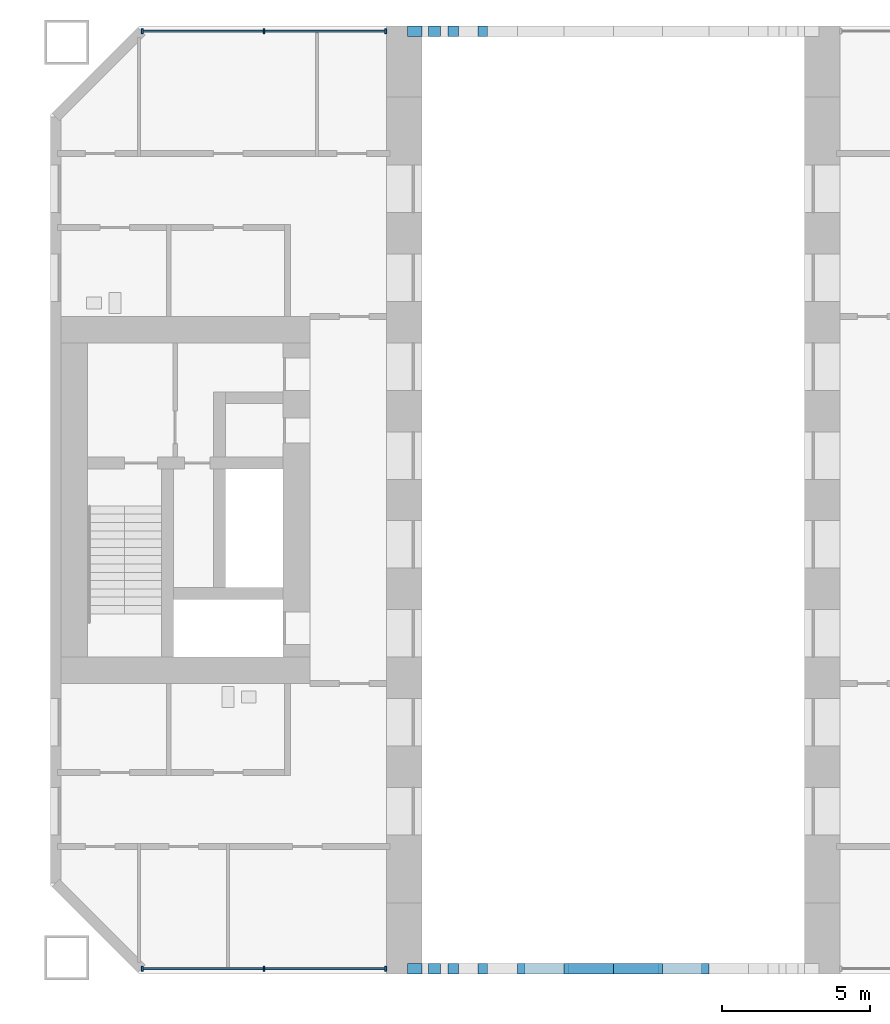
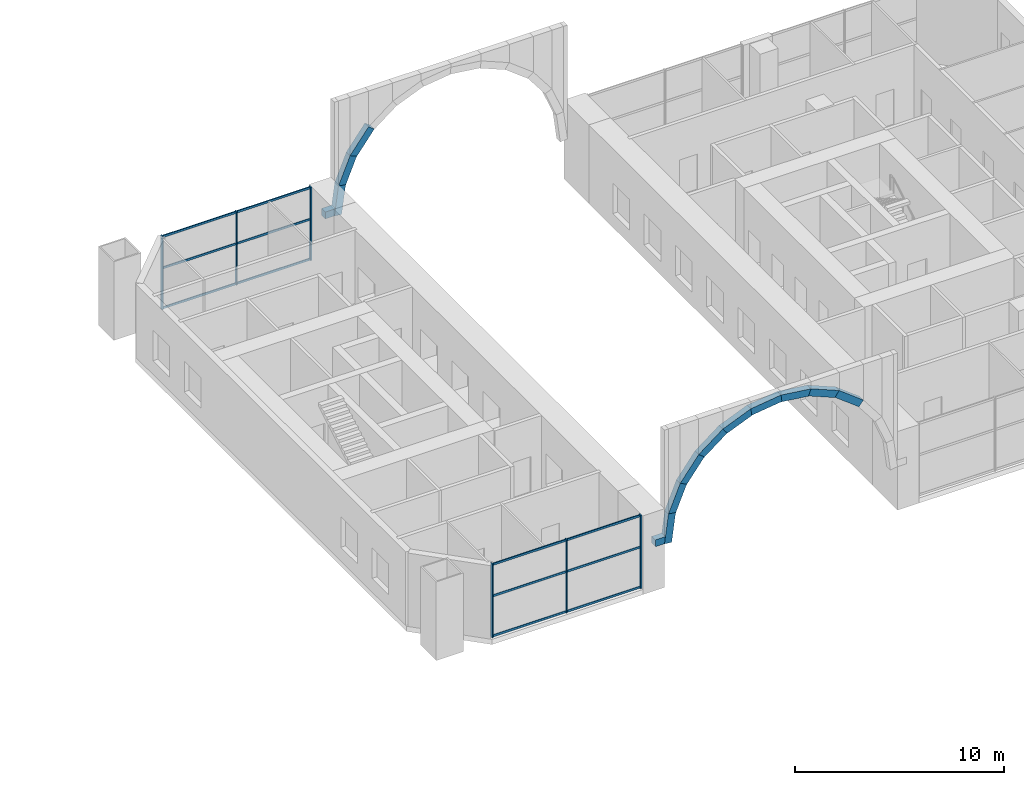
# One storey, part 5 of 21: 18 members, 14 beams, 2 elements without a shape of their own.
"""IFC4 building model written with IfcOpenShell, lengths in metres."""

import ifcopenshell
import ifcopenshell.guid

model = None  # the IFC model being written
_history = None  # IfcOwnerHistory: only IFC2X3 demands one
_inside = {}  # id of a spatial element -> (the spatial element, [elements in it])
_under = {}  # id of a project, library or spatial element -> (it, [spatial elements below it])
_declared = {}  # id of a project -> (the project, [libraries it declares])
_typed = {}  # id of a type object -> (the type object, [elements of that type])
_made_of = {}  # id of a material, layer set ... -> (it, [elements and type objects made of it])


def new_model(schema):
    """Start an empty IFC model of exactly this schema.

    Asked for "IFC4X3", IfcOpenShell would pick the latest addendum, in which some entities
    have other attributes; the version numbers below select the first issue.
    IFC2X3 requires an IfcOwnerHistory on every rooted entity: one is made here for all.
    """
    global model, _history
    if schema == "IFC4X3":
        model = ifcopenshell.file(schema_version=(4, 3, 0, 0))
    else:
        model = ifcopenshell.file(schema=schema)
    _inside.clear()
    _under.clear()
    _declared.clear()
    _typed.clear()
    _made_of.clear()
    _history = None
    if model.schema == "IFC2X3":
        org = make("IfcOrganization", Name="unknown")
        user = make(
            "IfcPersonAndOrganization",
            ThePerson=make("IfcPerson", FamilyName="unknown"),
            TheOrganization=org,
        )
        app = make(
            "IfcApplication",
            ApplicationDeveloper=org,
            Version="unknown",
            ApplicationFullName="unknown",
            ApplicationIdentifier="unknown",
        )
        _history = make(
            "IfcOwnerHistory",
            OwningUser=user,
            OwningApplication=app,
            ChangeAction="ADDED",
            CreationDate=0,
        )
    return model


def make(cls, **values):
    """One entity of the class cls with the attributes given. An attribute that is None is left unset."""
    return model.create_entity(
        cls, **{name: value for name, value in values.items() if value is not None}
    )


def rooted(cls, **values):
    """An entity with a GlobalId (a new one), such as an element, a storey or a relation."""
    return make(cls, GlobalId=ifcopenshell.guid.new(), OwnerHistory=_history, **values)


def si_unit(unit_type, name, prefix=None):
    """IfcSIUnit, for example si_unit("LENGTHUNIT", "METRE", prefix="MILLI")."""
    return make("IfcSIUnit", UnitType=unit_type, Prefix=prefix, Name=name)


def assignment(units):
    """IfcUnitAssignment: the units of a project."""
    return None if units is None else make("IfcUnitAssignment", Units=units)


def point(xyz):
    """IfcCartesianPoint."""
    return None if xyz is None else make("IfcCartesianPoint", Coordinates=xyz)


def direction(xyz):
    """IfcDirection."""
    return None if xyz is None else make("IfcDirection", DirectionRatios=xyz)


def frame(location, z_axis=None, x_axis=None):
    """IfcAxis2Placement3D, a coordinate frame: its origin and axes. An axis left out is left unset."""
    return make(
        "IfcAxis2Placement3D",
        Location=point(location),
        Axis=direction(z_axis),
        RefDirection=direction(x_axis),
    )


def frame_2d(location, x_axis=None):
    """IfcAxis2Placement2D, a coordinate frame in the plane: its origin and x axis."""
    return make(
        "IfcAxis2Placement2D", Location=point(location), RefDirection=direction(x_axis)
    )


def origin():
    """The frame at (0, 0, 0) with its axes left unset."""
    return frame((0.0, 0.0, 0.0))


def origin_2d():
    """The frame at (0, 0) in the plane with its x axis left unset."""
    return frame_2d((0.0, 0.0))


def place(relative_to, where):
    """IfcLocalPlacement: puts the frame where relative to a parent placement (None: the world)."""
    return make(
        "IfcLocalPlacement", PlacementRelTo=relative_to, RelativePlacement=where
    )


def context(
    kind, dimensions, precision=None, world=None, true_north=None, identifier=None
):
    """IfcGeometricRepresentationContext, for example the 3D "Model" context."""
    return make(
        "IfcGeometricRepresentationContext",
        ContextIdentifier=identifier,
        ContextType=kind,
        CoordinateSpaceDimension=dimensions,
        Precision=precision,
        WorldCoordinateSystem=world,
        TrueNorth=true_north,
    )


def subcontext(parent, identifier, kind, view, scale=None):
    """IfcGeometricRepresentationSubContext, for example "Body" below "Model"."""
    return make(
        "IfcGeometricRepresentationSubContext",
        ContextIdentifier=identifier,
        ContextType=kind,
        ParentContext=parent,
        TargetScale=scale,
        TargetView=view,
    )


def project(units=None, contexts=None):
    """IfcProject with its units and contexts."""
    return rooted(
        "IfcProject",
        Name="project",
        RepresentationContexts=contexts,
        UnitsInContext=assignment(units),
    )


def spatial(cls, under=None, at=None, **own):
    """A site, building, storey or space (cls), placed at a placement, below another one or the project."""
    s = rooted(cls, ObjectPlacement=at, **own)
    if under is not None:
        _under.setdefault(under.id(), (under, []))[1].append(s)
    return s


def profile(cls, at=None, kind="AREA", **sizes):
    """A parametric profile (cls). Its sizes go by their IFC names, for example OverallWidth=200.0."""
    return make(cls, ProfileType=kind, Position=at, **sizes)


def rectangle(**sizes):
    """IfcRectangleProfileDef."""
    return profile("IfcRectangleProfileDef", **sizes)


def extrude(swept, where, along, depth):
    """IfcExtrudedAreaSolid: the profile swept, set in the frame where, extruded along a direction by depth."""
    return make(
        "IfcExtrudedAreaSolid",
        SweptArea=swept,
        Position=where,
        ExtrudedDirection=direction(along),
        Depth=depth,
    )


def shape(context_of_items, identifier, shape_type, items):
    """IfcShapeRepresentation: the items that make up one representation, for example the "Body"."""
    return make(
        "IfcShapeRepresentation",
        ContextOfItems=context_of_items,
        RepresentationIdentifier=identifier,
        RepresentationType=shape_type,
        Items=items,
    )


def material(Name=None, Category=None):
    """IfcMaterial."""
    return make("IfcMaterial", Name=Name, Category=Category)


def material_profile(
    of_material, cross_section, Name=None, Category=None, Priority=None
):
    """IfcMaterialProfile: a cross section and its material."""
    return make(
        "IfcMaterialProfile",
        Name=Name,
        Material=of_material,
        Profile=cross_section,
        Priority=Priority,
        Category=Category,
    )


def profile_set(profiles, Name=None, composite=None):
    """IfcMaterialProfileSet."""
    return make(
        "IfcMaterialProfileSet",
        Name=Name,
        MaterialProfiles=profiles,
        CompositeProfile=composite,
    )


def made_of(thing, what):
    """Note that an element or type object is made of a material, layer set ...; save() writes the relation."""
    if what is not None:
        _made_of.setdefault(what.id(), (what, []))[1].append(thing)
    return thing


def type_object(cls, material=None, **own):
    """A type object (cls), such as IfcWallType, which elements share."""
    return made_of(rooted(cls, **own), material)


def element(
    cls,
    number,
    at=None,
    inside=None,
    cuts=None,
    type_object=None,
    material=None,
    context=None,
    identifier="Body",
    shape_type=None,
    held_by="IfcProductDefinitionShape",
    body=None,
    shapes=None,
    **own,
):
    """One element of the class cls, such as IfcWall. Its Tag is "e" and its number.

    at: its placement. inside: the storey or other place that contains it. cuts: it is an
    opening in that element (IfcRelVoidsElement). A single representation is given by context,
    identifier, shape_type and body (its items); several are given by shapes. held_by: the class
    of the entity that holds the representations. save() writes the other relations.
    """
    e = rooted(cls, Tag="e%d" % number, ObjectPlacement=at, **own)
    if body is not None:
        shapes = [shape(context, identifier, shape_type, body)]
    if shapes is not None:
        e.Representation = make(held_by, Representations=shapes)
    if inside is not None:
        _inside.setdefault(inside.id(), (inside, []))[1].append(e)
    if cuts is not None:
        rooted(
            "IfcRelVoidsElement", RelatingBuildingElement=cuts, RelatedOpeningElement=e
        )
    if type_object is not None:
        _typed.setdefault(type_object.id(), (type_object, []))[1].append(e)
    return made_of(e, material)


def aggregate(whole, parts):
    """IfcRelAggregates: a whole, such as a stair, and the parts it consists of."""
    return rooted("IfcRelAggregates", RelatingObject=whole, RelatedObjects=parts)


def save(model, path):
    """Write the relations noted so far, then the file.

    IfcRelAggregates (storeys below a building ...), IfcRelContainedInSpatialStructure (elements
    in a storey), IfcRelDefinesByType, IfcRelAssociatesMaterial and IfcRelDeclares: one each for
    every whole, place, type object, material and project.
    """
    for whole, parts in _under.values():
        aggregate(whole, parts)
    for where, things in _inside.values():
        rooted(
            "IfcRelContainedInSpatialStructure",
            RelatedElements=things,
            RelatingStructure=where,
        )
    for kind, things in _typed.values():
        rooted("IfcRelDefinesByType", RelatedObjects=things, RelatingType=kind)
    for what, things in _made_of.values():
        rooted("IfcRelAssociatesMaterial", RelatedObjects=things, RelatingMaterial=what)
    for by, libraries in _declared.values():
        rooted("IfcRelDeclares", RelatingContext=by, RelatedDefinitions=libraries)
    model.write(path)


model = new_model("IFC4")

# Units and contexts
model_context = context("Model", 3, precision=1e-05, world=origin(), true_north=direction((0.0, 1.0)))
body_context = subcontext(model_context, "Body", "Model", "MODEL_VIEW")
ifc_project = project(units=[si_unit("LENGTHUNIT", "METRE"), si_unit("AREAUNIT", "SQUARE_METRE"), si_unit("VOLUMEUNIT", "CUBIC_METRE"), si_unit("PLANEANGLEUNIT", "RADIAN"), si_unit("MASSUNIT", "GRAM", prefix="KILO")], contexts=[model_context])

# Site, building, storey
site_placement = place(None, origin())
site = spatial("IfcSite", under=ifc_project, at=site_placement, CompositionType="ELEMENT")
building_placement = place(site_placement, origin())
building = spatial("IfcBuilding", under=site, at=building_placement, Name="Tuart Gate Housing", CompositionType="ELEMENT")
storey_placement = place(building_placement, frame((0.0, 0.0, 5.5)))
storey = spatial("IfcBuildingStorey", under=building, at=storey_placement, Name="L01", CompositionType="ELEMENT", Elevation=5.5)

# Curtain wall, members
ifc_material_1 = material(Name="Aluminium and clear glass", Category="aluminium")
curtain_wall_type = type_object("IfcCurtainWallType", Name="Podium health glazing", PredefinedType="USERDEFINED", material=ifc_material_1)
curtain_wall_1_placement = place(storey_placement, origin())
curtain_wall_1 = element("IfcCurtainWall", 1, at=curtain_wall_1_placement, inside=storey, type_object=curtain_wall_type, Name="Podium health glazing B-S L01", ObjectType="PODIUM HEALTH GLAZING", PredefinedType="USERDEFINED")
ifc_material_2 = material(Name="Anodised aluminium", Category="aluminium")
ifc_material_profile_1 = material_profile(ifc_material_2, rectangle(XDim=0.06005859375, YDim=0.159912109375, at=origin_2d()), Name="60x160")
ifc_profile_set_1 = profile_set([ifc_material_profile_1], Name="Anodised aluminium")
member_type_1 = type_object("IfcMemberType", Name="Mullion 60 x 160", PredefinedType="MULLION", material=ifc_profile_set_1)
member_1_placement = place(storey_placement, frame((134.1044921875, 54.179931640625, 0.0), z_axis=(0.0, 0.0, 1.0), x_axis=(1.0, 0.0, 0.0)))
member_1 = element("IfcMember", 2, at=member_1_placement, type_object=member_type_1, Name="CW1 mullion 1", PredefinedType="MULLION", context=body_context, shape_type="SweptSolid", body=[
    extrude(rectangle(XDim=0.06005859375, YDim=0.159912109375, at=origin_2d()), origin(), (0.0, 0.0, 1.0), 4.300048828125),
])
member_2_placement = place(storey_placement, frame((138.21240234375, 54.179931640625, 0.0), z_axis=(0.0, 0.0, 1.0), x_axis=(1.0, 0.0, 0.0)))
member_2 = element("IfcMember", 3, at=member_2_placement, type_object=member_type_1, Name="CW1 mullion 2", PredefinedType="MULLION", context=body_context, shape_type="SweptSolid", body=[
    extrude(rectangle(XDim=0.06005859375, YDim=0.159912109375, at=origin_2d()), origin(), (0.0, 0.0, 1.0), 4.300048828125),
])
member_3_placement = place(storey_placement, frame((142.320068359375, 54.179931640625, 0.0), z_axis=(0.0, 0.0, 1.0), x_axis=(1.0, 0.0, 0.0)))
member_3 = element("IfcMember", 4, at=member_3_placement, type_object=member_type_1, Name="CW1 mullion 3", PredefinedType="MULLION", context=body_context, shape_type="SweptSolid", body=[
    extrude(rectangle(XDim=0.06005859375, YDim=0.159912109375, at=origin_2d()), origin(), (0.0, 0.0, 1.0), 4.300048828125),
])

curtain_wall_2_placement = place(storey_placement, origin())
curtain_wall_2 = element("IfcCurtainWall", 5, at=curtain_wall_2_placement, inside=storey, type_object=curtain_wall_type, Name="Podium health glazing B-N L01", ObjectType="PODIUM HEALTH GLAZING", PredefinedType="USERDEFINED")
member_4_placement = place(storey_placement, frame((142.320068359375, 85.820068359375, 0.0), z_axis=(0.0, 0.0, 1.0), x_axis=(-1.0, 0.0, 0.0)))
member_4 = element("IfcMember", 6, at=member_4_placement, type_object=member_type_1, Name="CW1 mullion 1", PredefinedType="MULLION", context=body_context, shape_type="SweptSolid", body=[
    extrude(rectangle(XDim=0.06005859375, YDim=0.159912109375, at=origin_2d()), origin(), (0.0, 0.0, 1.0), 4.300048828125),
])
member_5_placement = place(storey_placement, frame((138.212158203125, 85.820068359375, 0.0), z_axis=(0.0, 0.0, 1.0), x_axis=(-1.0, 0.0, 0.0)))
member_5 = element("IfcMember", 7, at=member_5_placement, type_object=member_type_1, Name="CW1 mullion 2", PredefinedType="MULLION", context=body_context, shape_type="SweptSolid", body=[
    extrude(rectangle(XDim=0.06005859375, YDim=0.159912109375, at=origin_2d()), origin(), (0.0, 0.0, 1.0), 4.300048828125),
])
member_6_placement = place(storey_placement, frame((134.1044921875, 85.820068359375, 0.0), z_axis=(0.0, 0.0, 1.0), x_axis=(-1.0, 0.0, 0.0)))
member_6 = element("IfcMember", 8, at=member_6_placement, type_object=member_type_1, Name="CW1 mullion 3", PredefinedType="MULLION", context=body_context, shape_type="SweptSolid", body=[
    extrude(rectangle(XDim=0.06005859375, YDim=0.159912109375, at=origin_2d()), origin(), (0.0, 0.0, 1.0), 4.300048828125),
])

# Beams
ifc_material_3 = material(Name="Concrete C50", Category="concrete")
ifc_material_profile_2 = material_profile(ifc_material_3, rectangle(XDim=0.360107421875, YDim=0.39990234375, at=origin_2d()), Name="RC arch ring 360 x 400")
ifc_profile_set_2 = profile_set([ifc_material_profile_2], Name="Concrete C50")
beam_type = type_object("IfcBeamType", Name="RC arch ring 360 x 400", PredefinedType="BEAM", material=ifc_profile_set_2)
for number, where, z_axis, x_axis, name in (
    (9, (143.748291015625, 54.179931640625, 2.223876953125), (0.130492018693, 0.0, 0.991449359805), (0.0, 1.0, 0.0), "Arch rib beam BS segment 0"),
    (10, (143.95458984375, 54.179931640625, 3.8427734375), (0.382637786924, 0.0, 0.923898438151), (0.0, 1.0, 0.0), "Arch rib beam BS segment 1"),
    (11, (144.57275390625, 54.179931640625, 5.353271484375), (0.608778467774, 0.0, 0.793340265696), (0.0, 1.0, 0.0), "Arch rib beam BS segment 2"),
    (12, (145.560791015625, 54.179931640625, 6.652099609375), (0.793340265696, 0.0, 0.608778467774), (0.0, 1.0, 0.0), "Arch rib beam BS segment 3"),
    (13, (146.8515625, 54.179931640625, 7.651123046875), (0.923898438151, 0.0, 0.382637786924), (0.0, 1.0, 0.0), "Arch rib beam BS segment 4"),
    (14, (148.356689453125, 54.179931640625, 8.281982421875), (0.991449359805, 0.0, 0.130492018693), (0.0, 1.0, 0.0), "Arch rib beam BS segment 5"),
    (15, (149.973876953125, 54.179931640625, 8.501708984375), (0.991449359805, 0.0, -0.130492018693), (0.0, 1.0, 0.0), "Arch rib beam BS segment 6"),
    (16, (151.5927734375, 54.179931640625, 8.29541015625), (0.923898438151, 0.0, -0.382637786924), (0.0, 1.0, 0.0), "Arch rib beam BS segment 7"),
    (17, (153.103271484375, 54.179931640625, 7.67724609375), (0.793340265696, 0.0, -0.608778467774), (0.0, 1.0, 0.0), "Arch rib beam BS segment 8"),
):
    element("IfcBeam", number, at=place(storey_placement, frame(where, z_axis=z_axis, x_axis=x_axis)), inside=storey, type_object=beam_type, Name=name, PredefinedType="BEAM", context=body_context, shape_type="SweptSolid", body=[
        extrude(rectangle(XDim=0.360107421875, YDim=0.39990234375, at=origin_2d()), origin(), (0.0, 0.0, 1.0), 1.683837890625),
    ])
beam_1_placement = place(storey_placement, frame((143.050048828125, 54.179931640625, 2.449951171875), z_axis=(1.0, 0.0, 0.0), x_axis=(0.0, 1.0, 0.0)))
element("IfcBeam", 18, at=beam_1_placement, inside=storey, type_object=beam_type, Name="Arch seat beam BS west", PredefinedType="BEAM", context=body_context, shape_type="SweptSolid", body=[
    extrude(rectangle(XDim=0.360107421875, YDim=0.39990234375, at=origin_2d()), origin(), (0.0, 0.0, 1.0), 0.849853515625),
])
for number, where, z_axis, x_axis, name in (
    (19, (143.748291015625, 85.820068359375, 2.223876953125), (0.130492018693, 0.0, 0.991449359805), (0.0, 1.0, 0.0), "Arch rib beam BN segment 0"),
    (20, (143.95458984375, 85.820068359375, 3.8427734375), (0.382637786924, 0.0, 0.923898438151), (0.0, 1.0, 0.0), "Arch rib beam BN segment 1"),
    (21, (144.57275390625, 85.820068359375, 5.353271484375), (0.608778467774, 0.0, 0.793340265696), (0.0, 1.0, 0.0), "Arch rib beam BN segment 2"),
):
    element("IfcBeam", number, at=place(storey_placement, frame(where, z_axis=z_axis, x_axis=x_axis)), inside=storey, type_object=beam_type, Name=name, PredefinedType="BEAM", context=body_context, shape_type="SweptSolid", body=[
        extrude(rectangle(XDim=0.360107421875, YDim=0.39990234375, at=origin_2d()), origin(), (0.0, 0.0, 1.0), 1.683837890625),
    ])
beam_2_placement = place(storey_placement, frame((143.050048828125, 85.820068359375, 2.449951171875), z_axis=(1.0, 0.0, 0.0), x_axis=(0.0, 1.0, 0.0)))
element("IfcBeam", 22, at=beam_2_placement, inside=storey, type_object=beam_type, Name="Arch seat beam BN west", PredefinedType="BEAM", context=body_context, shape_type="SweptSolid", body=[
    extrude(rectangle(XDim=0.360107421875, YDim=0.39990234375, at=origin_2d()), origin(), (0.0, 0.0, 1.0), 0.849853515625),
])

# Member
ifc_material_4 = material(Name="Anodised aluminium", Category="aluminium")
ifc_material_profile_3 = material_profile(ifc_material_4, rectangle(XDim=0.06005859375, YDim=0.1201171875, at=origin_2d()), Name="60x120")
ifc_profile_set_3 = profile_set([ifc_material_profile_3], Name="Anodised aluminium")
member_type_2 = type_object("IfcMemberType", Name="Transom 60 x 120", PredefinedType="USERDEFINED", material=ifc_profile_set_3)
member_7_placement = place(storey_placement, frame((134.134521484375, 54.179931640625, 0.06005859375), z_axis=(1.0, 0.0, 0.0), x_axis=(0.0, 1.0, 0.0)))
member_7 = element("IfcMember", 23, at=member_7_placement, type_object=member_type_2, Name="CW1 transom 1.1", ObjectType="TRANSOM", PredefinedType="USERDEFINED", context=body_context, shape_type="SweptSolid", body=[
    extrude(rectangle(XDim=0.06005859375, YDim=0.1201171875, at=origin_2d()), origin(), (0.0, 0.0, 1.0), 4.0478515625),
])

member_8_placement = place(storey_placement, frame((134.134521484375, 54.179931640625, 2.39990234375), z_axis=(1.0, 0.0, 0.0), x_axis=(0.0, 1.0, 0.0)))
member_8 = element("IfcMember", 24, at=member_8_placement, type_object=member_type_2, Name="CW1 transom 1.2", ObjectType="TRANSOM", PredefinedType="USERDEFINED", context=body_context, shape_type="SweptSolid", body=[
    extrude(rectangle(XDim=0.06005859375, YDim=0.1201171875, at=origin_2d()), origin(), (0.0, 0.0, 1.0), 4.0478515625),
])

member_9_placement = place(storey_placement, frame((134.134521484375, 54.179931640625, 4.239990234375), z_axis=(1.0, 0.0, 0.0), x_axis=(0.0, 1.0, 0.0)))
member_9 = element("IfcMember", 25, at=member_9_placement, type_object=member_type_2, Name="CW1 transom 1.3", ObjectType="TRANSOM", PredefinedType="USERDEFINED", context=body_context, shape_type="SweptSolid", body=[
    extrude(rectangle(XDim=0.06005859375, YDim=0.1201171875, at=origin_2d()), origin(), (0.0, 0.0, 1.0), 4.0478515625),
])

member_10_placement = place(storey_placement, frame((138.2421875, 54.179931640625, 0.06005859375), z_axis=(1.0, 0.0, 0.0), x_axis=(0.0, 1.0, 0.0)))
member_10 = element("IfcMember", 26, at=member_10_placement, type_object=member_type_2, Name="CW1 transom 2.1", ObjectType="TRANSOM", PredefinedType="USERDEFINED", context=body_context, shape_type="SweptSolid", body=[
    extrude(rectangle(XDim=0.06005859375, YDim=0.1201171875, at=origin_2d()), origin(), (0.0, 0.0, 1.0), 4.0478515625),
])

member_11_placement = place(storey_placement, frame((138.2421875, 54.179931640625, 2.39990234375), z_axis=(1.0, 0.0, 0.0), x_axis=(0.0, 1.0, 0.0)))
member_11 = element("IfcMember", 27, at=member_11_placement, type_object=member_type_2, Name="CW1 transom 2.2", ObjectType="TRANSOM", PredefinedType="USERDEFINED", context=body_context, shape_type="SweptSolid", body=[
    extrude(rectangle(XDim=0.06005859375, YDim=0.1201171875, at=origin_2d()), origin(), (0.0, 0.0, 1.0), 4.0478515625),
])

member_12_placement = place(storey_placement, frame((138.2421875, 54.179931640625, 4.239990234375), z_axis=(1.0, 0.0, 0.0), x_axis=(0.0, 1.0, 0.0)))
member_12 = element("IfcMember", 28, at=member_12_placement, type_object=member_type_2, Name="CW1 transom 2.3", ObjectType="TRANSOM", PredefinedType="USERDEFINED", context=body_context, shape_type="SweptSolid", body=[
    extrude(rectangle(XDim=0.06005859375, YDim=0.1201171875, at=origin_2d()), origin(), (0.0, 0.0, 1.0), 4.0478515625),
])

aggregate(curtain_wall_1, [member_1, member_2, member_3, member_7, member_8, member_9, member_10, member_11, member_12])

member_13_placement = place(storey_placement, frame((142.2900390625, 85.820068359375, 0.06005859375), z_axis=(-1.0, 0.0, 0.0), x_axis=(0.0, -1.0, 0.0)))
member_13 = element("IfcMember", 29, at=member_13_placement, type_object=member_type_2, Name="CW1 transom 1.1", ObjectType="TRANSOM", PredefinedType="USERDEFINED", context=body_context, shape_type="SweptSolid", body=[
    extrude(rectangle(XDim=0.06005859375, YDim=0.1201171875, at=origin_2d()), origin(), (0.0, 0.0, 1.0), 4.0478515625),
])

member_14_placement = place(storey_placement, frame((142.2900390625, 85.820068359375, 2.39990234375), z_axis=(-1.0, 0.0, 0.0), x_axis=(0.0, -1.0, 0.0)))
member_14 = element("IfcMember", 30, at=member_14_placement, type_object=member_type_2, Name="CW1 transom 1.2", ObjectType="TRANSOM", PredefinedType="USERDEFINED", context=body_context, shape_type="SweptSolid", body=[
    extrude(rectangle(XDim=0.06005859375, YDim=0.1201171875, at=origin_2d()), origin(), (0.0, 0.0, 1.0), 4.0478515625),
])

member_15_placement = place(storey_placement, frame((142.2900390625, 85.820068359375, 4.239990234375), z_axis=(-1.0, 0.0, 0.0), x_axis=(0.0, -1.0, 0.0)))
member_15 = element("IfcMember", 31, at=member_15_placement, type_object=member_type_2, Name="CW1 transom 1.3", ObjectType="TRANSOM", PredefinedType="USERDEFINED", context=body_context, shape_type="SweptSolid", body=[
    extrude(rectangle(XDim=0.06005859375, YDim=0.1201171875, at=origin_2d()), origin(), (0.0, 0.0, 1.0), 4.0478515625),
])

member_16_placement = place(storey_placement, frame((138.18212890625, 85.820068359375, 0.06005859375), z_axis=(-1.0, 0.0, 0.0), x_axis=(0.0, -1.0, 0.0)))
member_16 = element("IfcMember", 32, at=member_16_placement, type_object=member_type_2, Name="CW1 transom 2.1", ObjectType="TRANSOM", PredefinedType="USERDEFINED", context=body_context, shape_type="SweptSolid", body=[
    extrude(rectangle(XDim=0.06005859375, YDim=0.1201171875, at=origin_2d()), origin(), (0.0, 0.0, 1.0), 4.047607421875),
])

member_17_placement = place(storey_placement, frame((138.18212890625, 85.820068359375, 2.39990234375), z_axis=(-1.0, 0.0, 0.0), x_axis=(0.0, -1.0, 0.0)))
member_17 = element("IfcMember", 33, at=member_17_placement, type_object=member_type_2, Name="CW1 transom 2.2", ObjectType="TRANSOM", PredefinedType="USERDEFINED", context=body_context, shape_type="SweptSolid", body=[
    extrude(rectangle(XDim=0.06005859375, YDim=0.1201171875, at=origin_2d()), origin(), (0.0, 0.0, 1.0), 4.047607421875),
])

member_18_placement = place(storey_placement, frame((138.18212890625, 85.820068359375, 4.239990234375), z_axis=(-1.0, 0.0, 0.0), x_axis=(0.0, -1.0, 0.0)))
member_18 = element("IfcMember", 34, at=member_18_placement, type_object=member_type_2, Name="CW1 transom 2.3", ObjectType="TRANSOM", PredefinedType="USERDEFINED", context=body_context, shape_type="SweptSolid", body=[
    extrude(rectangle(XDim=0.06005859375, YDim=0.1201171875, at=origin_2d()), origin(), (0.0, 0.0, 1.0), 4.047607421875),
])

aggregate(curtain_wall_2, [member_4, member_5, member_6, member_13, member_14, member_15, member_16, member_17, member_18])

save(model, "model.ifc")
